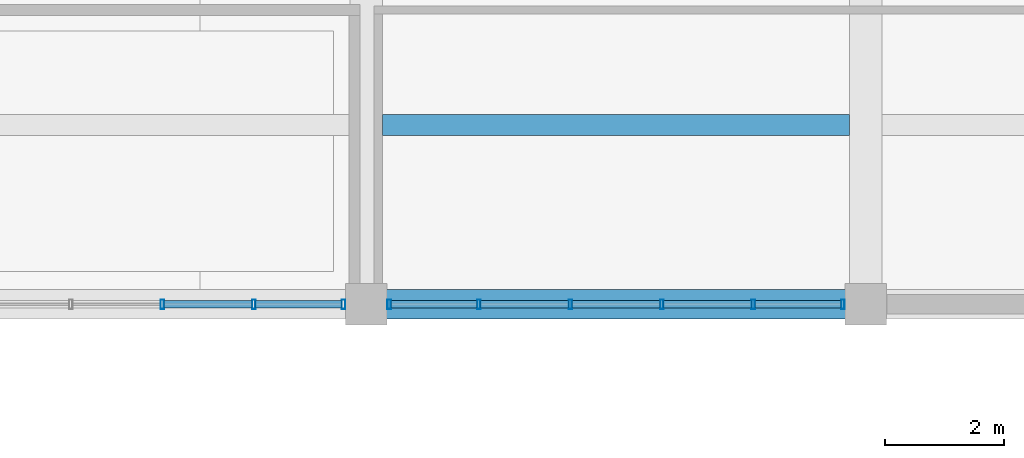
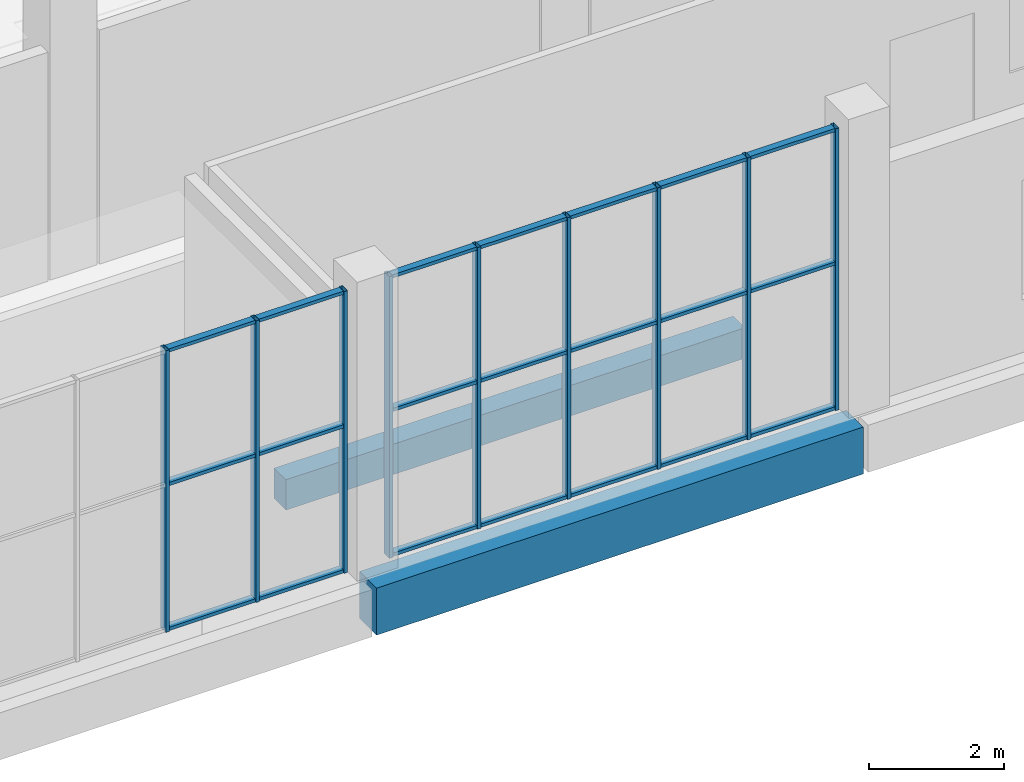
# One storey, part 48 of 91: 30 members, 2 beams, 2 elements without a shape of their own.
"""IFC4 building model written with IfcOpenShell, lengths in metres."""

import ifcopenshell
import ifcopenshell.guid

model = None  # the IFC model being written
_history = None  # IfcOwnerHistory: only IFC2X3 demands one
_inside = {}  # id of a spatial element -> (the spatial element, [elements in it])
_under = {}  # id of a project, library or spatial element -> (it, [spatial elements below it])
_declared = {}  # id of a project -> (the project, [libraries it declares])
_typed = {}  # id of a type object -> (the type object, [elements of that type])
_made_of = {}  # id of a material, layer set ... -> (it, [elements and type objects made of it])


def new_model(schema):
    """Start an empty IFC model of exactly this schema.

    Asked for "IFC4X3", IfcOpenShell would pick the latest addendum, in which some entities
    have other attributes; the version numbers below select the first issue.
    IFC2X3 requires an IfcOwnerHistory on every rooted entity: one is made here for all.
    """
    global model, _history
    if schema == "IFC4X3":
        model = ifcopenshell.file(schema_version=(4, 3, 0, 0))
    else:
        model = ifcopenshell.file(schema=schema)
    _inside.clear()
    _under.clear()
    _declared.clear()
    _typed.clear()
    _made_of.clear()
    _history = None
    if model.schema == "IFC2X3":
        org = make("IfcOrganization", Name="unknown")
        user = make(
            "IfcPersonAndOrganization",
            ThePerson=make("IfcPerson", FamilyName="unknown"),
            TheOrganization=org,
        )
        app = make(
            "IfcApplication",
            ApplicationDeveloper=org,
            Version="unknown",
            ApplicationFullName="unknown",
            ApplicationIdentifier="unknown",
        )
        _history = make(
            "IfcOwnerHistory",
            OwningUser=user,
            OwningApplication=app,
            ChangeAction="ADDED",
            CreationDate=0,
        )
    return model


def make(cls, **values):
    """One entity of the class cls with the attributes given. An attribute that is None is left unset."""
    return model.create_entity(
        cls, **{name: value for name, value in values.items() if value is not None}
    )


def rooted(cls, **values):
    """An entity with a GlobalId (a new one), such as an element, a storey or a relation."""
    return make(cls, GlobalId=ifcopenshell.guid.new(), OwnerHistory=_history, **values)


def si_unit(unit_type, name, prefix=None):
    """IfcSIUnit, for example si_unit("LENGTHUNIT", "METRE", prefix="MILLI")."""
    return make("IfcSIUnit", UnitType=unit_type, Prefix=prefix, Name=name)


def assignment(units):
    """IfcUnitAssignment: the units of a project."""
    return None if units is None else make("IfcUnitAssignment", Units=units)


def point(xyz):
    """IfcCartesianPoint."""
    return None if xyz is None else make("IfcCartesianPoint", Coordinates=xyz)


def direction(xyz):
    """IfcDirection."""
    return None if xyz is None else make("IfcDirection", DirectionRatios=xyz)


def frame(location, z_axis=None, x_axis=None):
    """IfcAxis2Placement3D, a coordinate frame: its origin and axes. An axis left out is left unset."""
    return make(
        "IfcAxis2Placement3D",
        Location=point(location),
        Axis=direction(z_axis),
        RefDirection=direction(x_axis),
    )


def frame_2d(location, x_axis=None):
    """IfcAxis2Placement2D, a coordinate frame in the plane: its origin and x axis."""
    return make(
        "IfcAxis2Placement2D", Location=point(location), RefDirection=direction(x_axis)
    )


def origin():
    """The frame at (0, 0, 0) with its axes left unset."""
    return frame((0.0, 0.0, 0.0))


def origin_2d():
    """The frame at (0, 0) in the plane with its x axis left unset."""
    return frame_2d((0.0, 0.0))


def place(relative_to, where):
    """IfcLocalPlacement: puts the frame where relative to a parent placement (None: the world)."""
    return make(
        "IfcLocalPlacement", PlacementRelTo=relative_to, RelativePlacement=where
    )


def context(
    kind, dimensions, precision=None, world=None, true_north=None, identifier=None
):
    """IfcGeometricRepresentationContext, for example the 3D "Model" context."""
    return make(
        "IfcGeometricRepresentationContext",
        ContextIdentifier=identifier,
        ContextType=kind,
        CoordinateSpaceDimension=dimensions,
        Precision=precision,
        WorldCoordinateSystem=world,
        TrueNorth=true_north,
    )


def subcontext(parent, identifier, kind, view, scale=None):
    """IfcGeometricRepresentationSubContext, for example "Body" below "Model"."""
    return make(
        "IfcGeometricRepresentationSubContext",
        ContextIdentifier=identifier,
        ContextType=kind,
        ParentContext=parent,
        TargetScale=scale,
        TargetView=view,
    )


def project(units=None, contexts=None):
    """IfcProject with its units and contexts."""
    return rooted(
        "IfcProject",
        Name="project",
        RepresentationContexts=contexts,
        UnitsInContext=assignment(units),
    )


def spatial(cls, under=None, at=None, **own):
    """A site, building, storey or space (cls), placed at a placement, below another one or the project."""
    s = rooted(cls, ObjectPlacement=at, **own)
    if under is not None:
        _under.setdefault(under.id(), (under, []))[1].append(s)
    return s


def profile(cls, at=None, kind="AREA", **sizes):
    """A parametric profile (cls). Its sizes go by their IFC names, for example OverallWidth=200.0."""
    return make(cls, ProfileType=kind, Position=at, **sizes)


def rectangle(**sizes):
    """IfcRectangleProfileDef."""
    return profile("IfcRectangleProfileDef", **sizes)


def hollow_rectangle(**sizes):
    """IfcRectangleHollowProfileDef."""
    return profile("IfcRectangleHollowProfileDef", **sizes)


def extrude(swept, where, along, depth):
    """IfcExtrudedAreaSolid: the profile swept, set in the frame where, extruded along a direction by depth."""
    return make(
        "IfcExtrudedAreaSolid",
        SweptArea=swept,
        Position=where,
        ExtrudedDirection=direction(along),
        Depth=depth,
    )


def shape(context_of_items, identifier, shape_type, items):
    """IfcShapeRepresentation: the items that make up one representation, for example the "Body"."""
    return make(
        "IfcShapeRepresentation",
        ContextOfItems=context_of_items,
        RepresentationIdentifier=identifier,
        RepresentationType=shape_type,
        Items=items,
    )


def material(Name=None, Category=None):
    """IfcMaterial."""
    return make("IfcMaterial", Name=Name, Category=Category)


def material_profile(
    of_material, cross_section, Name=None, Category=None, Priority=None
):
    """IfcMaterialProfile: a cross section and its material."""
    return make(
        "IfcMaterialProfile",
        Name=Name,
        Material=of_material,
        Profile=cross_section,
        Priority=Priority,
        Category=Category,
    )


def profile_set(profiles, Name=None, composite=None):
    """IfcMaterialProfileSet."""
    return make(
        "IfcMaterialProfileSet",
        Name=Name,
        MaterialProfiles=profiles,
        CompositeProfile=composite,
    )


def made_of(thing, what):
    """Note that an element or type object is made of a material, layer set ...; save() writes the relation."""
    if what is not None:
        _made_of.setdefault(what.id(), (what, []))[1].append(thing)
    return thing


def type_object(cls, material=None, **own):
    """A type object (cls), such as IfcWallType, which elements share."""
    return made_of(rooted(cls, **own), material)


def element(
    cls,
    number,
    at=None,
    inside=None,
    cuts=None,
    type_object=None,
    material=None,
    context=None,
    identifier="Body",
    shape_type=None,
    held_by="IfcProductDefinitionShape",
    body=None,
    shapes=None,
    **own,
):
    """One element of the class cls, such as IfcWall. Its Tag is "e" and its number.

    at: its placement. inside: the storey or other place that contains it. cuts: it is an
    opening in that element (IfcRelVoidsElement). A single representation is given by context,
    identifier, shape_type and body (its items); several are given by shapes. held_by: the class
    of the entity that holds the representations. save() writes the other relations.
    """
    e = rooted(cls, Tag="e%d" % number, ObjectPlacement=at, **own)
    if body is not None:
        shapes = [shape(context, identifier, shape_type, body)]
    if shapes is not None:
        e.Representation = make(held_by, Representations=shapes)
    if inside is not None:
        _inside.setdefault(inside.id(), (inside, []))[1].append(e)
    if cuts is not None:
        rooted(
            "IfcRelVoidsElement", RelatingBuildingElement=cuts, RelatedOpeningElement=e
        )
    if type_object is not None:
        _typed.setdefault(type_object.id(), (type_object, []))[1].append(e)
    return made_of(e, material)


def aggregate(whole, parts):
    """IfcRelAggregates: a whole, such as a stair, and the parts it consists of."""
    return rooted("IfcRelAggregates", RelatingObject=whole, RelatedObjects=parts)


def save(model, path):
    """Write the relations noted so far, then the file.

    IfcRelAggregates (storeys below a building ...), IfcRelContainedInSpatialStructure (elements
    in a storey), IfcRelDefinesByType, IfcRelAssociatesMaterial and IfcRelDeclares: one each for
    every whole, place, type object, material and project.
    """
    for whole, parts in _under.values():
        aggregate(whole, parts)
    for where, things in _inside.values():
        rooted(
            "IfcRelContainedInSpatialStructure",
            RelatedElements=things,
            RelatingStructure=where,
        )
    for kind, things in _typed.values():
        rooted("IfcRelDefinesByType", RelatedObjects=things, RelatingType=kind)
    for what, things in _made_of.values():
        rooted("IfcRelAssociatesMaterial", RelatedObjects=things, RelatingMaterial=what)
    for by, libraries in _declared.values():
        rooted("IfcRelDeclares", RelatingContext=by, RelatedDefinitions=libraries)
    model.write(path)


model = new_model("IFC4")

# Units and contexts
model_context = context("Model", 3, precision=1e-05, world=origin(), true_north=direction((0.0, 1.0)))
body_context = subcontext(model_context, "Body", "Model", "MODEL_VIEW")
ifc_project = project(units=[si_unit("LENGTHUNIT", "METRE"), si_unit("AREAUNIT", "SQUARE_METRE"), si_unit("VOLUMEUNIT", "CUBIC_METRE"), si_unit("PLANEANGLEUNIT", "RADIAN"), si_unit("MASSUNIT", "GRAM", prefix="KILO")], contexts=[model_context])

# Site, building, storey
site_placement = place(None, origin())
site = spatial("IfcSite", under=ifc_project, at=site_placement, CompositionType="ELEMENT")
building_placement = place(site_placement, origin())
building = spatial("IfcBuilding", under=site, at=building_placement, Name="Khurvash Pelagic Aquarium", CompositionType="ELEMENT")
storey_placement = place(building_placement, origin())
storey = spatial("IfcBuildingStorey", under=building, at=storey_placement, Name="L00", CompositionType="ELEMENT", Elevation=0.0)

# Curtain wall, members
ifc_material_1 = material(Name="Anodised aluminium and low-E laminated glass", Category="aluminium")
curtain_wall_type = type_object("IfcCurtainWallType", Name="CW-02", PredefinedType="USERDEFINED", material=ifc_material_1)
curtain_wall_1_placement = place(storey_placement, origin())
curtain_wall_1 = element("IfcCurtainWall", 1, at=curtain_wall_1_placement, inside=storey, type_object=curtain_wall_type, Name="L00 Facade Unitised Curtain Wall CW-02 0084", ObjectType="UNITISED CURTAIN WALL", PredefinedType="USERDEFINED")
ifc_material_2 = material(Name="Extruded aluminium AW-6063-T6", Category="aluminium")
ifc_material_profile_1 = material_profile(ifc_material_2, hollow_rectangle(XDim=0.06005859375, YDim=0.159912109375, WallThickness=0.00390625, at=origin_2d()), Name="CWM60X160X4")
ifc_profile_set_1 = profile_set([ifc_material_profile_1], Name="Extruded aluminium AW-6063-T6")
member_type_1 = type_object("IfcMemberType", Name="CM-02", PredefinedType="MULLION", material=ifc_profile_set_1)
member_1_placement = place(storey_placement, frame((80.569091796875, 84.050048828125, 0.0), z_axis=(0.0, 0.0, 1.0), x_axis=(1.0, 0.0, 0.0)))
member_1 = element("IfcMember", 2, at=member_1_placement, type_object=member_type_1, Name="CW-02 mullion 4", PredefinedType="MULLION", context=body_context, shape_type="SweptSolid", body=[
    extrude(hollow_rectangle(XDim=0.06005859375, YDim=0.159912109375, WallThickness=0.00390625, at=origin_2d()), origin(), (0.0, 0.0, 1.0), 5.090087890625),
])
member_2_placement = place(storey_placement, frame((82.10693359375, 84.050048828125, 0.0), z_axis=(0.0, 0.0, 1.0), x_axis=(1.0, 0.0, 0.0)))
member_2 = element("IfcMember", 3, at=member_2_placement, type_object=member_type_1, Name="CW-02 mullion 5", PredefinedType="MULLION", context=body_context, shape_type="SweptSolid", body=[
    extrude(hollow_rectangle(XDim=0.06005859375, YDim=0.159912109375, WallThickness=0.00390625, at=origin_2d()), origin(), (0.0, 0.0, 1.0), 5.090087890625),
])
member_3_placement = place(storey_placement, frame((83.614990234375, 84.050048828125, 0.0), z_axis=(0.0, 0.0, 1.0), x_axis=(1.0, 0.0, 0.0)))
member_3 = element("IfcMember", 4, at=member_3_placement, type_object=member_type_1, Name="CW-02 mullion 6", PredefinedType="MULLION", context=body_context, shape_type="SweptSolid", body=[
    extrude(hollow_rectangle(XDim=0.06005859375, YDim=0.159912109375, WallThickness=0.00390625, at=origin_2d()), origin(), (0.0, 0.0, 1.0), 5.090087890625),
])

curtain_wall_2_placement = place(storey_placement, origin())
curtain_wall_2 = element("IfcCurtainWall", 5, at=curtain_wall_2_placement, inside=storey, type_object=curtain_wall_type, Name="L00 Facade Unitised Curtain Wall CW-02 0085", ObjectType="UNITISED CURTAIN WALL", PredefinedType="USERDEFINED")
member_4_placement = place(storey_placement, frame((84.385009765625, 84.050048828125, 0.0), z_axis=(0.0, 0.0, 1.0), x_axis=(1.0, 0.0, 0.0)))
member_4 = element("IfcMember", 6, at=member_4_placement, type_object=member_type_1, Name="CW-02 mullion 1", PredefinedType="MULLION", context=body_context, shape_type="SweptSolid", body=[
    extrude(hollow_rectangle(XDim=0.06005859375, YDim=0.159912109375, WallThickness=0.00390625, at=origin_2d()), origin(), (0.0, 0.0, 1.0), 5.090087890625),
])
member_5_placement = place(storey_placement, frame((85.89306640625, 84.050048828125, 0.0), z_axis=(0.0, 0.0, 1.0), x_axis=(1.0, 0.0, 0.0)))
member_5 = element("IfcMember", 7, at=member_5_placement, type_object=member_type_1, Name="CW-02 mullion 2", PredefinedType="MULLION", context=body_context, shape_type="SweptSolid", body=[
    extrude(hollow_rectangle(XDim=0.06005859375, YDim=0.159912109375, WallThickness=0.00390625, at=origin_2d()), origin(), (0.0, 0.0, 1.0), 5.090087890625),
])
member_6_placement = place(storey_placement, frame((87.430908203125, 84.050048828125, 0.0), z_axis=(0.0, 0.0, 1.0), x_axis=(1.0, 0.0, 0.0)))
member_6 = element("IfcMember", 8, at=member_6_placement, type_object=member_type_1, Name="CW-02 mullion 3", PredefinedType="MULLION", context=body_context, shape_type="SweptSolid", body=[
    extrude(hollow_rectangle(XDim=0.06005859375, YDim=0.159912109375, WallThickness=0.00390625, at=origin_2d()), origin(), (0.0, 0.0, 1.0), 5.090087890625),
])
member_7_placement = place(storey_placement, frame((88.968994140625, 84.050048828125, 0.0), z_axis=(0.0, 0.0, 1.0), x_axis=(1.0, 0.0, 0.0)))
member_7 = element("IfcMember", 9, at=member_7_placement, type_object=member_type_1, Name="CW-02 mullion 4", PredefinedType="MULLION", context=body_context, shape_type="SweptSolid", body=[
    extrude(hollow_rectangle(XDim=0.06005859375, YDim=0.159912109375, WallThickness=0.00390625, at=origin_2d()), origin(), (0.0, 0.0, 1.0), 5.090087890625),
])
member_8_placement = place(storey_placement, frame((90.507080078125, 84.050048828125, 0.0), z_axis=(0.0, 0.0, 1.0), x_axis=(1.0, 0.0, 0.0)))
member_8 = element("IfcMember", 10, at=member_8_placement, type_object=member_type_1, Name="CW-02 mullion 5", PredefinedType="MULLION", context=body_context, shape_type="SweptSolid", body=[
    extrude(hollow_rectangle(XDim=0.06005859375, YDim=0.159912109375, WallThickness=0.00390625, at=origin_2d()), origin(), (0.0, 0.0, 1.0), 5.090087890625),
])
member_9_placement = place(storey_placement, frame((92.014892578125, 84.050048828125, 0.0), z_axis=(0.0, 0.0, 1.0), x_axis=(1.0, 0.0, 0.0)))
member_9 = element("IfcMember", 11, at=member_9_placement, type_object=member_type_1, Name="CW-02 mullion 6", PredefinedType="MULLION", context=body_context, shape_type="SweptSolid", body=[
    extrude(hollow_rectangle(XDim=0.06005859375, YDim=0.159912109375, WallThickness=0.00390625, at=origin_2d()), origin(), (0.0, 0.0, 1.0), 5.090087890625),
])

# Member
ifc_material_profile_2 = material_profile(ifc_material_2, hollow_rectangle(XDim=0.1201171875, YDim=0.06005859375, WallThickness=0.00390625, at=origin_2d()), Name="CWT120X60X4")
ifc_profile_set_2 = profile_set([ifc_material_profile_2], Name="Extruded aluminium AW-6063-T6")
member_type_2 = type_object("IfcMemberType", Name="CT-02", PredefinedType="USERDEFINED", material=ifc_profile_set_2)
member_10_placement = place(storey_placement, frame((80.59912109375, 84.050048828125, 0.030029296875), z_axis=(1.0, 0.0, 0.0), x_axis=(0.0, 1.0, 0.0)))
member_10 = element("IfcMember", 12, at=member_10_placement, type_object=member_type_2, Name="CW-02 transom 4.1", ObjectType="TRANSOM", PredefinedType="USERDEFINED", context=body_context, shape_type="SweptSolid", body=[
    extrude(hollow_rectangle(XDim=0.1201171875, YDim=0.06005859375, WallThickness=0.00390625, at=origin_2d()), origin(), (0.0, 0.0, 1.0), 1.477783203125),
])

member_11_placement = place(storey_placement, frame((80.59912109375, 84.050048828125, 2.64697265625), z_axis=(1.0, 0.0, 0.0), x_axis=(0.0, 1.0, 0.0)))
member_11 = element("IfcMember", 13, at=member_11_placement, type_object=member_type_2, Name="CW-02 transom 4.2", ObjectType="TRANSOM", PredefinedType="USERDEFINED", context=body_context, shape_type="SweptSolid", body=[
    extrude(hollow_rectangle(XDim=0.1201171875, YDim=0.06005859375, WallThickness=0.00390625, at=origin_2d()), origin(), (0.0, 0.0, 1.0), 1.477783203125),
])

member_12_placement = place(storey_placement, frame((80.59912109375, 84.050048828125, 5.06005859375), z_axis=(1.0, 0.0, 0.0), x_axis=(0.0, 1.0, 0.0)))
member_12 = element("IfcMember", 14, at=member_12_placement, type_object=member_type_2, Name="CW-02 transom 4.3", ObjectType="TRANSOM", PredefinedType="USERDEFINED", context=body_context, shape_type="SweptSolid", body=[
    extrude(hollow_rectangle(XDim=0.1201171875, YDim=0.06005859375, WallThickness=0.00390625, at=origin_2d()), origin(), (0.0, 0.0, 1.0), 1.477783203125),
])

member_13_placement = place(storey_placement, frame((82.136962890625, 84.050048828125, 0.030029296875), z_axis=(1.0, 0.0, 0.0), x_axis=(0.0, 1.0, 0.0)))
member_13 = element("IfcMember", 15, at=member_13_placement, type_object=member_type_2, Name="CW-02 transom 5.1", ObjectType="TRANSOM", PredefinedType="USERDEFINED", context=body_context, shape_type="SweptSolid", body=[
    extrude(hollow_rectangle(XDim=0.1201171875, YDim=0.06005859375, WallThickness=0.00390625, at=origin_2d()), origin(), (0.0, 0.0, 1.0), 1.447998046875),
])

member_14_placement = place(storey_placement, frame((82.136962890625, 84.050048828125, 2.64697265625), z_axis=(1.0, 0.0, 0.0), x_axis=(0.0, 1.0, 0.0)))
member_14 = element("IfcMember", 16, at=member_14_placement, type_object=member_type_2, Name="CW-02 transom 5.2", ObjectType="TRANSOM", PredefinedType="USERDEFINED", context=body_context, shape_type="SweptSolid", body=[
    extrude(hollow_rectangle(XDim=0.1201171875, YDim=0.06005859375, WallThickness=0.00390625, at=origin_2d()), origin(), (0.0, 0.0, 1.0), 1.447998046875),
])

member_15_placement = place(storey_placement, frame((82.136962890625, 84.050048828125, 5.06005859375), z_axis=(1.0, 0.0, 0.0), x_axis=(0.0, 1.0, 0.0)))
member_15 = element("IfcMember", 17, at=member_15_placement, type_object=member_type_2, Name="CW-02 transom 5.3", ObjectType="TRANSOM", PredefinedType="USERDEFINED", context=body_context, shape_type="SweptSolid", body=[
    extrude(hollow_rectangle(XDim=0.1201171875, YDim=0.06005859375, WallThickness=0.00390625, at=origin_2d()), origin(), (0.0, 0.0, 1.0), 1.447998046875),
])

aggregate(curtain_wall_1, [member_1, member_2, member_3, member_10, member_11, member_12, member_13, member_14, member_15])

member_16_placement = place(storey_placement, frame((84.4150390625, 84.050048828125, 0.030029296875), z_axis=(1.0, 0.0, 0.0), x_axis=(0.0, 1.0, 0.0)))
member_16 = element("IfcMember", 18, at=member_16_placement, type_object=member_type_2, Name="CW-02 transom 1.1", ObjectType="TRANSOM", PredefinedType="USERDEFINED", context=body_context, shape_type="SweptSolid", body=[
    extrude(hollow_rectangle(XDim=0.1201171875, YDim=0.06005859375, WallThickness=0.00390625, at=origin_2d()), origin(), (0.0, 0.0, 1.0), 1.447998046875),
])

member_17_placement = place(storey_placement, frame((84.4150390625, 84.050048828125, 2.64697265625), z_axis=(1.0, 0.0, 0.0), x_axis=(0.0, 1.0, 0.0)))
member_17 = element("IfcMember", 19, at=member_17_placement, type_object=member_type_2, Name="CW-02 transom 1.2", ObjectType="TRANSOM", PredefinedType="USERDEFINED", context=body_context, shape_type="SweptSolid", body=[
    extrude(hollow_rectangle(XDim=0.1201171875, YDim=0.06005859375, WallThickness=0.00390625, at=origin_2d()), origin(), (0.0, 0.0, 1.0), 1.447998046875),
])

member_18_placement = place(storey_placement, frame((84.4150390625, 84.050048828125, 5.06005859375), z_axis=(1.0, 0.0, 0.0), x_axis=(0.0, 1.0, 0.0)))
member_18 = element("IfcMember", 20, at=member_18_placement, type_object=member_type_2, Name="CW-02 transom 1.3", ObjectType="TRANSOM", PredefinedType="USERDEFINED", context=body_context, shape_type="SweptSolid", body=[
    extrude(hollow_rectangle(XDim=0.1201171875, YDim=0.06005859375, WallThickness=0.00390625, at=origin_2d()), origin(), (0.0, 0.0, 1.0), 1.447998046875),
])

member_19_placement = place(storey_placement, frame((85.923095703125, 84.050048828125, 0.030029296875), z_axis=(1.0, 0.0, 0.0), x_axis=(0.0, 1.0, 0.0)))
member_19 = element("IfcMember", 21, at=member_19_placement, type_object=member_type_2, Name="CW-02 transom 2.1", ObjectType="TRANSOM", PredefinedType="USERDEFINED", context=body_context, shape_type="SweptSolid", body=[
    extrude(hollow_rectangle(XDim=0.1201171875, YDim=0.06005859375, WallThickness=0.00390625, at=origin_2d()), origin(), (0.0, 0.0, 1.0), 1.477783203125),
])

member_20_placement = place(storey_placement, frame((85.923095703125, 84.050048828125, 2.64697265625), z_axis=(1.0, 0.0, 0.0), x_axis=(0.0, 1.0, 0.0)))
member_20 = element("IfcMember", 22, at=member_20_placement, type_object=member_type_2, Name="CW-02 transom 2.2", ObjectType="TRANSOM", PredefinedType="USERDEFINED", context=body_context, shape_type="SweptSolid", body=[
    extrude(hollow_rectangle(XDim=0.1201171875, YDim=0.06005859375, WallThickness=0.00390625, at=origin_2d()), origin(), (0.0, 0.0, 1.0), 1.477783203125),
])

member_21_placement = place(storey_placement, frame((85.923095703125, 84.050048828125, 5.06005859375), z_axis=(1.0, 0.0, 0.0), x_axis=(0.0, 1.0, 0.0)))
member_21 = element("IfcMember", 23, at=member_21_placement, type_object=member_type_2, Name="CW-02 transom 2.3", ObjectType="TRANSOM", PredefinedType="USERDEFINED", context=body_context, shape_type="SweptSolid", body=[
    extrude(hollow_rectangle(XDim=0.1201171875, YDim=0.06005859375, WallThickness=0.00390625, at=origin_2d()), origin(), (0.0, 0.0, 1.0), 1.477783203125),
])

member_22_placement = place(storey_placement, frame((87.4609375, 84.050048828125, 0.030029296875), z_axis=(1.0, 0.0, 0.0), x_axis=(0.0, 1.0, 0.0)))
member_22 = element("IfcMember", 24, at=member_22_placement, type_object=member_type_2, Name="CW-02 transom 3.1", ObjectType="TRANSOM", PredefinedType="USERDEFINED", context=body_context, shape_type="SweptSolid", body=[
    extrude(hollow_rectangle(XDim=0.1201171875, YDim=0.06005859375, WallThickness=0.00390625, at=origin_2d()), origin(), (0.0, 0.0, 1.0), 1.47802734375),
])

member_23_placement = place(storey_placement, frame((87.4609375, 84.050048828125, 2.64697265625), z_axis=(1.0, 0.0, 0.0), x_axis=(0.0, 1.0, 0.0)))
member_23 = element("IfcMember", 25, at=member_23_placement, type_object=member_type_2, Name="CW-02 transom 3.2", ObjectType="TRANSOM", PredefinedType="USERDEFINED", context=body_context, shape_type="SweptSolid", body=[
    extrude(hollow_rectangle(XDim=0.1201171875, YDim=0.06005859375, WallThickness=0.00390625, at=origin_2d()), origin(), (0.0, 0.0, 1.0), 1.47802734375),
])

member_24_placement = place(storey_placement, frame((87.4609375, 84.050048828125, 5.06005859375), z_axis=(1.0, 0.0, 0.0), x_axis=(0.0, 1.0, 0.0)))
member_24 = element("IfcMember", 26, at=member_24_placement, type_object=member_type_2, Name="CW-02 transom 3.3", ObjectType="TRANSOM", PredefinedType="USERDEFINED", context=body_context, shape_type="SweptSolid", body=[
    extrude(hollow_rectangle(XDim=0.1201171875, YDim=0.06005859375, WallThickness=0.00390625, at=origin_2d()), origin(), (0.0, 0.0, 1.0), 1.47802734375),
])

member_25_placement = place(storey_placement, frame((88.9990234375, 84.050048828125, 0.030029296875), z_axis=(1.0, 0.0, 0.0), x_axis=(0.0, 1.0, 0.0)))
member_25 = element("IfcMember", 27, at=member_25_placement, type_object=member_type_2, Name="CW-02 transom 4.1", ObjectType="TRANSOM", PredefinedType="USERDEFINED", context=body_context, shape_type="SweptSolid", body=[
    extrude(hollow_rectangle(XDim=0.1201171875, YDim=0.06005859375, WallThickness=0.00390625, at=origin_2d()), origin(), (0.0, 0.0, 1.0), 1.47802734375),
])

member_26_placement = place(storey_placement, frame((88.9990234375, 84.050048828125, 2.64697265625), z_axis=(1.0, 0.0, 0.0), x_axis=(0.0, 1.0, 0.0)))
member_26 = element("IfcMember", 28, at=member_26_placement, type_object=member_type_2, Name="CW-02 transom 4.2", ObjectType="TRANSOM", PredefinedType="USERDEFINED", context=body_context, shape_type="SweptSolid", body=[
    extrude(hollow_rectangle(XDim=0.1201171875, YDim=0.06005859375, WallThickness=0.00390625, at=origin_2d()), origin(), (0.0, 0.0, 1.0), 1.47802734375),
])

member_27_placement = place(storey_placement, frame((88.9990234375, 84.050048828125, 5.06005859375), z_axis=(1.0, 0.0, 0.0), x_axis=(0.0, 1.0, 0.0)))
member_27 = element("IfcMember", 29, at=member_27_placement, type_object=member_type_2, Name="CW-02 transom 4.3", ObjectType="TRANSOM", PredefinedType="USERDEFINED", context=body_context, shape_type="SweptSolid", body=[
    extrude(hollow_rectangle(XDim=0.1201171875, YDim=0.06005859375, WallThickness=0.00390625, at=origin_2d()), origin(), (0.0, 0.0, 1.0), 1.47802734375),
])

member_28_placement = place(storey_placement, frame((90.537109375, 84.050048828125, 0.030029296875), z_axis=(1.0, 0.0, 0.0), x_axis=(0.0, 1.0, 0.0)))
member_28 = element("IfcMember", 30, at=member_28_placement, type_object=member_type_2, Name="CW-02 transom 5.1", ObjectType="TRANSOM", PredefinedType="USERDEFINED", context=body_context, shape_type="SweptSolid", body=[
    extrude(hollow_rectangle(XDim=0.1201171875, YDim=0.06005859375, WallThickness=0.00390625, at=origin_2d()), origin(), (0.0, 0.0, 1.0), 1.447998046875),
])

member_29_placement = place(storey_placement, frame((90.537109375, 84.050048828125, 2.64697265625), z_axis=(1.0, 0.0, 0.0), x_axis=(0.0, 1.0, 0.0)))
member_29 = element("IfcMember", 31, at=member_29_placement, type_object=member_type_2, Name="CW-02 transom 5.2", ObjectType="TRANSOM", PredefinedType="USERDEFINED", context=body_context, shape_type="SweptSolid", body=[
    extrude(hollow_rectangle(XDim=0.1201171875, YDim=0.06005859375, WallThickness=0.00390625, at=origin_2d()), origin(), (0.0, 0.0, 1.0), 1.447998046875),
])

member_30_placement = place(storey_placement, frame((90.537109375, 84.050048828125, 5.06005859375), z_axis=(1.0, 0.0, 0.0), x_axis=(0.0, 1.0, 0.0)))
member_30 = element("IfcMember", 32, at=member_30_placement, type_object=member_type_2, Name="CW-02 transom 5.3", ObjectType="TRANSOM", PredefinedType="USERDEFINED", context=body_context, shape_type="SweptSolid", body=[
    extrude(hollow_rectangle(XDim=0.1201171875, YDim=0.06005859375, WallThickness=0.00390625, at=origin_2d()), origin(), (0.0, 0.0, 1.0), 1.447998046875),
])

aggregate(curtain_wall_2, [member_4, member_5, member_6, member_7, member_8, member_9, member_16, member_17, member_18, member_19, member_20, member_21, member_22, member_23, member_24, member_25, member_26, member_27, member_28, member_29, member_30])

# Beams
ifc_material_3 = material(Name="Concrete C35/45", Category="concrete")
ifc_material_profile_3 = material_profile(ifc_material_3, rectangle(XDim=0.35009765625, YDim=0.550048828125, at=origin_2d()), Name="RC350X550")
ifc_profile_set_3 = profile_set([ifc_material_profile_3], Name="Concrete C35/45")
beam_type_1 = type_object("IfcBeamType", Name="JS-01", PredefinedType="JOIST", material=ifc_profile_set_3)
beam_1_placement = place(storey_placement, frame((84.27490234375, 87.06689453125, -0.594970703125), z_axis=(1.0, 0.0, 0.0), x_axis=(0.0, 1.0, 0.0)))
element("IfcBeam", 33, at=beam_1_placement, inside=storey, type_object=beam_type_1, Name="L00 Floor Joist JS-01 00215", PredefinedType="JOIST", context=body_context, shape_type="SweptSolid", body=[
    extrude(rectangle(XDim=0.35009765625, YDim=0.550048828125, at=origin_2d()), origin(), (0.0, 0.0, 1.0), 7.85009765625),
])
ifc_material_4 = material(Name="Concrete C40/50", Category="concrete")
ifc_material_profile_4 = material_profile(ifc_material_4, rectangle(XDim=0.5, YDim=0.85009765625, at=origin_2d()), Name="RC500X850")
ifc_profile_set_4 = profile_set([ifc_material_profile_4], Name="Concrete C40/50")
beam_type_2 = type_object("IfcBeamType", Name="SEB-03", PredefinedType="SPANDREL", material=ifc_profile_set_4)
beam_2_placement = place(storey_placement, frame((84.0400390625, 84.050048828125, -0.7451171875), z_axis=(1.0, 0.0, 0.0), x_axis=(0.0, 1.0, 0.0)))
element("IfcBeam", 34, at=beam_2_placement, inside=storey, type_object=beam_type_2, Name="L00 Primary Girder SEB-03 00053", PredefinedType="SPANDREL", context=body_context, shape_type="SweptSolid", body=[
    extrude(rectangle(XDim=0.5, YDim=0.85009765625, at=origin_2d()), origin(), (0.0, 0.0, 1.0), 8.320068359375),
])

save(model, "model.ifc")
